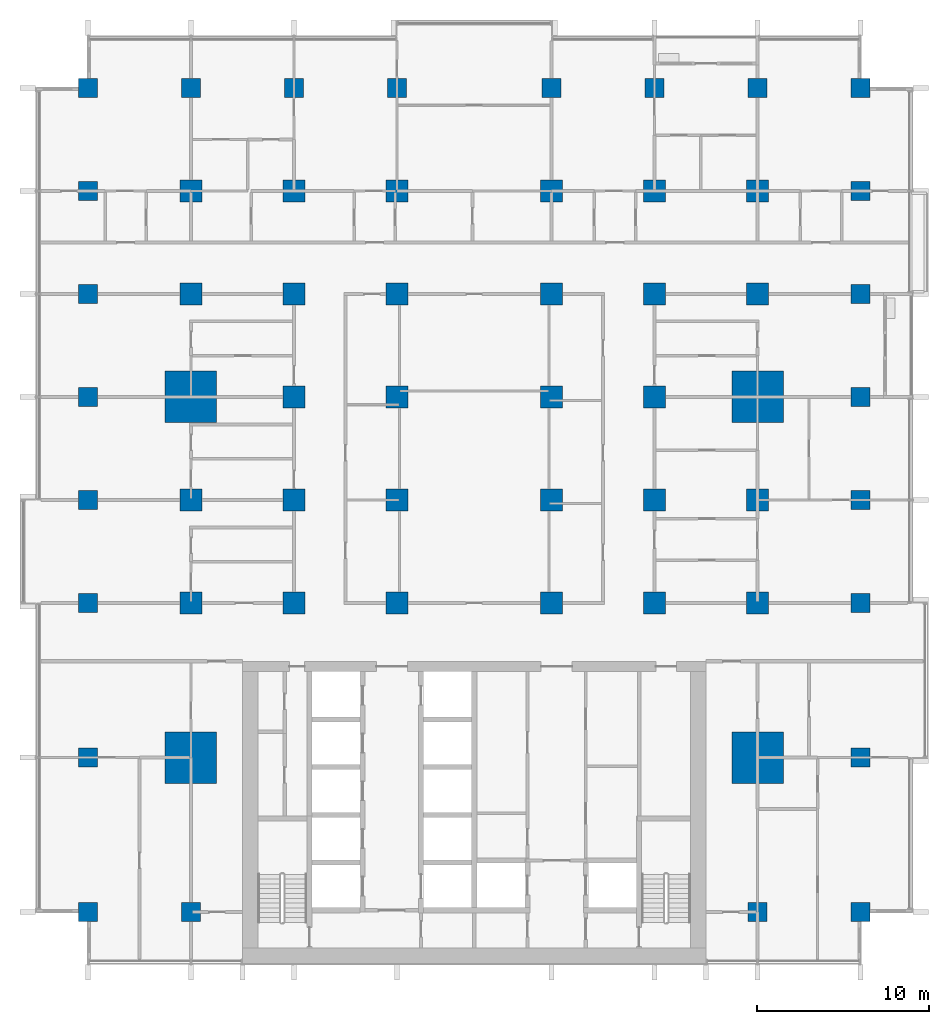
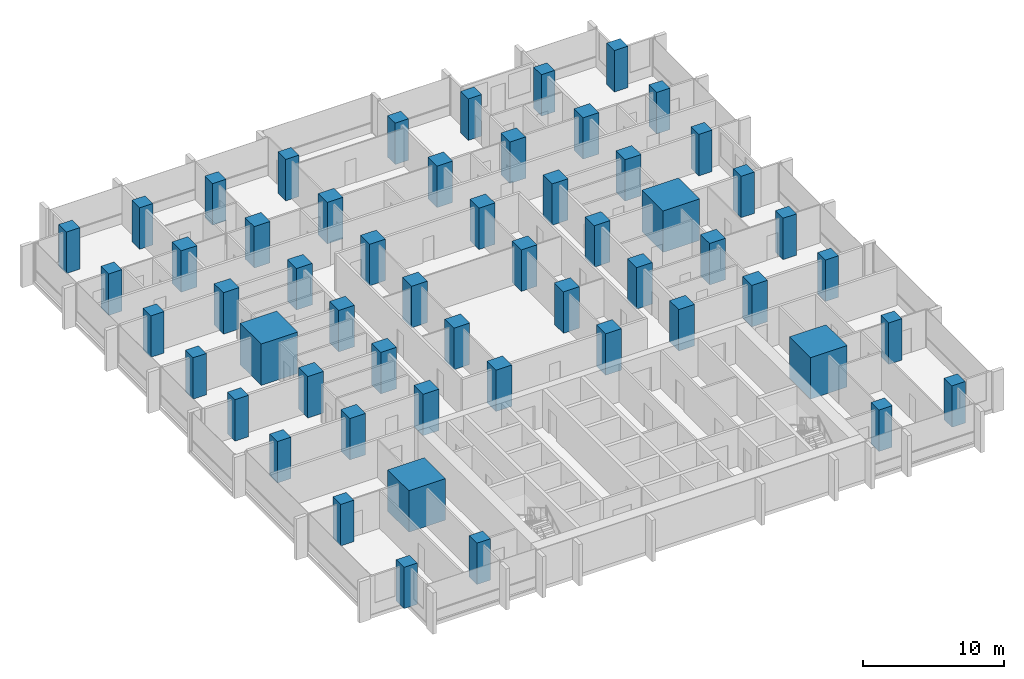
# One storey, part 1 of 18: 56 columns.
"""IFC4 building model written with IfcOpenShell, lengths in metres."""

from ifc_helpers import new_model, si_unit, direction, frame, origin, origin_2d, place, context, subcontext, project, spatial, rectangle, extrude, material, material_profile, profile_set, type_object, element, save


model = new_model("IFC4")

# Units and contexts
model_context = context("Model", 3, precision=1e-05, world=origin(), true_north=direction((0.0, 1.0)))
body_context = subcontext(model_context, "Body", "Model", "MODEL_VIEW")
ifc_project = project(units=[si_unit("LENGTHUNIT", "METRE"), si_unit("AREAUNIT", "SQUARE_METRE"), si_unit("VOLUMEUNIT", "CUBIC_METRE"), si_unit("PLANEANGLEUNIT", "RADIAN"), si_unit("MASSUNIT", "GRAM", prefix="KILO")], contexts=[model_context])

# Site, building, storey
site_placement = place(None, origin())
site = spatial("IfcSite", under=ifc_project, at=site_placement, CompositionType="ELEMENT")
building_placement = place(site_placement, origin())
building = spatial("IfcBuilding", under=site, at=building_placement, Name="Finial Court Residences", CompositionType="ELEMENT")
storey_placement = place(building_placement, frame((0.0, 0.0, 68.5)))
storey = spatial("IfcBuildingStorey", under=building, at=storey_placement, Name="L16", CompositionType="ELEMENT", Elevation=68.5)

# Columns
ifc_material = material(Name="Concrete C80/95", Category="concrete")
ifc_material_profile_1 = material_profile(ifc_material, rectangle(XDim=1.300048828125, YDim=1.300048828125, at=origin_2d()), Name="1300x1300")
ifc_profile_set_1 = profile_set([ifc_material_profile_1], Name="Concrete C80/95")
column_type_1 = type_object("IfcColumnType", Name="Interior column 1300x1300 Concrete C80/95", PredefinedType="COLUMN", material=ifc_profile_set_1)
for number, where, z_axis, x_axis, name in (
    (1, (-16.5, -4.5, 0.0), (0.0, 0.0, 1.0), (1.0, 0.0, 0.0), "S:COL:L16:C4"),
    (2, (-16.5, 1.5, 0.0), (0.0, 0.0, 1.0), (1.0, 0.0, 0.0), "S:COL:L16:C5"),
    (3, (-16.5, 13.5, 0.0), (0.0, 0.0, 1.0), (1.0, 0.0, 0.0), "S:COL:L16:C7"),
    (4, (-16.5, 19.5, 0.0), (0.0, 0.0, 1.0), (1.0, 0.0, 0.0), "S:COL:L16:C8"),
    (5, (-10.5, -4.5, 0.0), (0.0, 0.0, 1.0), (1.0, 0.0, 0.0), "S:COL:L16:D4"),
    (6, (-10.5, 1.5, 0.0), (0.0, 0.0, 1.0), (1.0, 0.0, 0.0), "S:COL:L16:D5"),
    (7, (-10.5, 7.5, 0.0), (0.0, 0.0, 1.0), (1.0, 0.0, 0.0), "S:COL:L16:D6"),
    (8, (-10.5, 13.5, 0.0), (0.0, 0.0, 1.0), (1.0, 0.0, 0.0), "S:COL:L16:D7"),
    (9, (-10.5, 19.5, 0.0), (0.0, 0.0, 1.0), (1.0, 0.0, 0.0), "S:COL:L16:D8"),
    (10, (-4.5, -4.5, 0.0), (0.0, 0.0, 1.0), (1.0, 0.0, 0.0), "S:COL:L16:E4"),
    (11, (-4.5, 1.5, 0.0), (0.0, 0.0, 1.0), (1.0, 0.0, 0.0), "S:COL:L16:E5"),
    (12, (-4.5, 7.5, 0.0), (0.0, 0.0, 1.0), (1.0, 0.0, 0.0), "S:COL:L16:E6"),
    (13, (-4.5, 13.5, 0.0), (0.0, 0.0, 1.0), (1.0, 0.0, 0.0), "S:COL:L16:E7"),
    (14, (-4.5, 19.5, 0.0), (0.0, 0.0, 1.0), (1.0, 0.0, 0.0), "S:COL:L16:E8"),
    (15, (4.5, -4.5, 0.0), (0.0, 0.0, 1.0), (1.0, 0.0, 0.0), "S:COL:L16:F4"),
    (16, (4.5, 1.5, 0.0), (0.0, 0.0, 1.0), (1.0, 0.0, 0.0), "S:COL:L16:F5"),
    (17, (4.5, 7.5, 0.0), (0.0, 0.0, 1.0), (1.0, 0.0, 0.0), "S:COL:L16:F6"),
    (18, (4.5, 13.5, 0.0), (0.0, 0.0, 1.0), (1.0, 0.0, 0.0), "S:COL:L16:F7"),
    (19, (4.5, 19.5, 0.0), (0.0, 0.0, 1.0), (1.0, 0.0, 0.0), "S:COL:L16:F8"),
    (20, (10.5, -4.5, 0.0), (0.0, 0.0, 1.0), (1.0, 0.0, 0.0), "S:COL:L16:G4"),
    (21, (10.5, 1.5, 0.0), (0.0, 0.0, 1.0), (1.0, 0.0, 0.0), "S:COL:L16:G5"),
    (22, (10.5, 7.5, 0.0), (0.0, 0.0, 1.0), (1.0, 0.0, 0.0), "S:COL:L16:G6"),
    (23, (10.5, 13.5, 0.0), (0.0, 0.0, 1.0), (1.0, 0.0, 0.0), "S:COL:L16:G7"),
    (24, (10.5, 19.5, 0.0), (0.0, 0.0, 1.0), (1.0, 0.0, 0.0), "S:COL:L16:G8"),
    (25, (16.5, -4.5, 0.0), (0.0, 0.0, 1.0), (1.0, 0.0, 0.0), "S:COL:L16:H4"),
    (26, (16.5, 1.5, 0.0), (0.0, 0.0, 1.0), (1.0, 0.0, 0.0), "S:COL:L16:H5"),
    (27, (16.5, 13.5, 0.0), (0.0, 0.0, 1.0), (1.0, 0.0, 0.0), "S:COL:L16:H7"),
    (28, (16.5, 19.5, 0.0), (0.0, 0.0, 1.0), (1.0, 0.0, 0.0), "S:COL:L16:H8"),
):
    element("IfcColumn", number, at=place(storey_placement, frame(where, z_axis=z_axis, x_axis=x_axis)), inside=storey, type_object=column_type_1, Name=name, PredefinedType="COLUMN", context=body_context, shape_type="SweptSolid", body=[
        extrude(rectangle(XDim=1.300048828125, YDim=1.300048828125, at=origin_2d()), origin(), (0.0, 0.0, 1.0), 3.60009765625),
    ])
ifc_material_profile_2 = material_profile(ifc_material, rectangle(XDim=3.0, YDim=3.0, at=origin_2d()), Name="3000x3000")
ifc_profile_set_2 = profile_set([ifc_material_profile_2], Name="Concrete C80/95")
column_type_2 = type_object("IfcColumnType", Name="Mega column 3000x3000 Concrete C80/95", PredefinedType="COLUMN", material=ifc_profile_set_2)
for number, where, z_axis, x_axis, name in (
    (29, (-16.5, -13.5, 0.0), (0.0, 0.0, 1.0), (1.0, 0.0, 0.0), "S:COL:L16:C3"),
    (30, (-16.5, 7.5, 0.0), (0.0, 0.0, 1.0), (1.0, 0.0, 0.0), "S:COL:L16:C6"),
    (31, (16.5, -13.5, 0.0), (0.0, 0.0, 1.0), (1.0, 0.0, 0.0), "S:COL:L16:H3"),
    (32, (16.5, 7.5, 0.0), (0.0, 0.0, 1.0), (1.0, 0.0, 0.0), "S:COL:L16:H6"),
):
    element("IfcColumn", number, at=place(storey_placement, frame(where, z_axis=z_axis, x_axis=x_axis)), inside=storey, type_object=column_type_2, Name=name, PredefinedType="COLUMN", context=body_context, shape_type="SweptSolid", body=[
        extrude(rectangle(XDim=3.0, YDim=3.0, at=origin_2d()), origin(), (0.0, 0.0, 1.0), 3.60009765625),
    ])
ifc_material_profile_3 = material_profile(ifc_material, rectangle(XDim=1.10009765625, YDim=1.10009765625, at=origin_2d()), Name="1100x1100")
ifc_profile_set_3 = profile_set([ifc_material_profile_3], Name="Concrete C80/95")
column_type_3 = type_object("IfcColumnType", Name="Perimeter column 1100x1100 Concrete C80/95", PredefinedType="COLUMN", material=ifc_profile_set_3)
for number, where, z_axis, x_axis, name in (
    (33, (-22.5, -22.5, 0.0), (0.0, 0.0, 1.0), (1.0, 0.0, 0.0), "S:COL:L16:B2"),
    (34, (-22.5, -13.5, 0.0), (0.0, 0.0, 1.0), (1.0, 0.0, 0.0), "S:COL:L16:B3"),
    (35, (-22.5, -4.5, 0.0), (0.0, 0.0, 1.0), (1.0, 0.0, 0.0), "S:COL:L16:B4"),
    (36, (-22.5, 1.5, 0.0), (0.0, 0.0, 1.0), (1.0, 0.0, 0.0), "S:COL:L16:B5"),
    (37, (-22.5, 7.5, 0.0), (0.0, 0.0, 1.0), (1.0, 0.0, 0.0), "S:COL:L16:B6"),
    (38, (-22.5, 13.5, 0.0), (0.0, 0.0, 1.0), (1.0, 0.0, 0.0), "S:COL:L16:B7"),
    (39, (-22.5, 19.5, 0.0), (0.0, 0.0, 1.0), (1.0, 0.0, 0.0), "S:COL:L16:B8"),
    (40, (-22.5, 25.5, 0.0), (0.0, 0.0, 1.0), (1.0, 0.0, 0.0), "S:COL:L16:B9"),
    (41, (-16.5, -22.5, 0.0), (0.0, 0.0, 1.0), (1.0, 0.0, 0.0), "S:COL:L16:C2"),
    (42, (-16.5, 25.5, 0.0), (0.0, 0.0, 1.0), (1.0, 0.0, 0.0), "S:COL:L16:C9"),
    (43, (-10.5, 25.5, 0.0), (0.0, 0.0, 1.0), (1.0, 0.0, 0.0), "S:COL:L16:D9"),
    (44, (-4.5, 25.5, 0.0), (0.0, 0.0, 1.0), (1.0, 0.0, 0.0), "S:COL:L16:E9"),
    (45, (4.5, 25.5, 0.0), (0.0, 0.0, 1.0), (1.0, 0.0, 0.0), "S:COL:L16:F9"),
    (46, (10.5, 25.5, 0.0), (0.0, 0.0, 1.0), (1.0, 0.0, 0.0), "S:COL:L16:G9"),
    (47, (16.5, -22.5, 0.0), (0.0, 0.0, 1.0), (1.0, 0.0, 0.0), "S:COL:L16:H2"),
    (48, (16.5, 25.5, 0.0), (0.0, 0.0, 1.0), (1.0, 0.0, 0.0), "S:COL:L16:H9"),
    (49, (22.5, -22.5, 0.0), (0.0, 0.0, 1.0), (1.0, 0.0, 0.0), "S:COL:L16:I2"),
    (50, (22.5, -13.5, 0.0), (0.0, 0.0, 1.0), (1.0, 0.0, 0.0), "S:COL:L16:I3"),
    (51, (22.5, -4.5, 0.0), (0.0, 0.0, 1.0), (1.0, 0.0, 0.0), "S:COL:L16:I4"),
    (52, (22.5, 1.5, 0.0), (0.0, 0.0, 1.0), (1.0, 0.0, 0.0), "S:COL:L16:I5"),
    (53, (22.5, 7.5, 0.0), (0.0, 0.0, 1.0), (1.0, 0.0, 0.0), "S:COL:L16:I6"),
    (54, (22.5, 13.5, 0.0), (0.0, 0.0, 1.0), (1.0, 0.0, 0.0), "S:COL:L16:I7"),
    (55, (22.5, 19.5, 0.0), (0.0, 0.0, 1.0), (1.0, 0.0, 0.0), "S:COL:L16:I8"),
    (56, (22.5, 25.5, 0.0), (0.0, 0.0, 1.0), (1.0, 0.0, 0.0), "S:COL:L16:I9"),
):
    element("IfcColumn", number, at=place(storey_placement, frame(where, z_axis=z_axis, x_axis=x_axis)), inside=storey, type_object=column_type_3, Name=name, PredefinedType="COLUMN", context=body_context, shape_type="SweptSolid", body=[
        extrude(rectangle(XDim=1.10009765625, YDim=1.10009765625, at=origin_2d()), origin(), (0.0, 0.0, 1.0), 3.60009765625),
    ])

save(model, "model.ifc")
